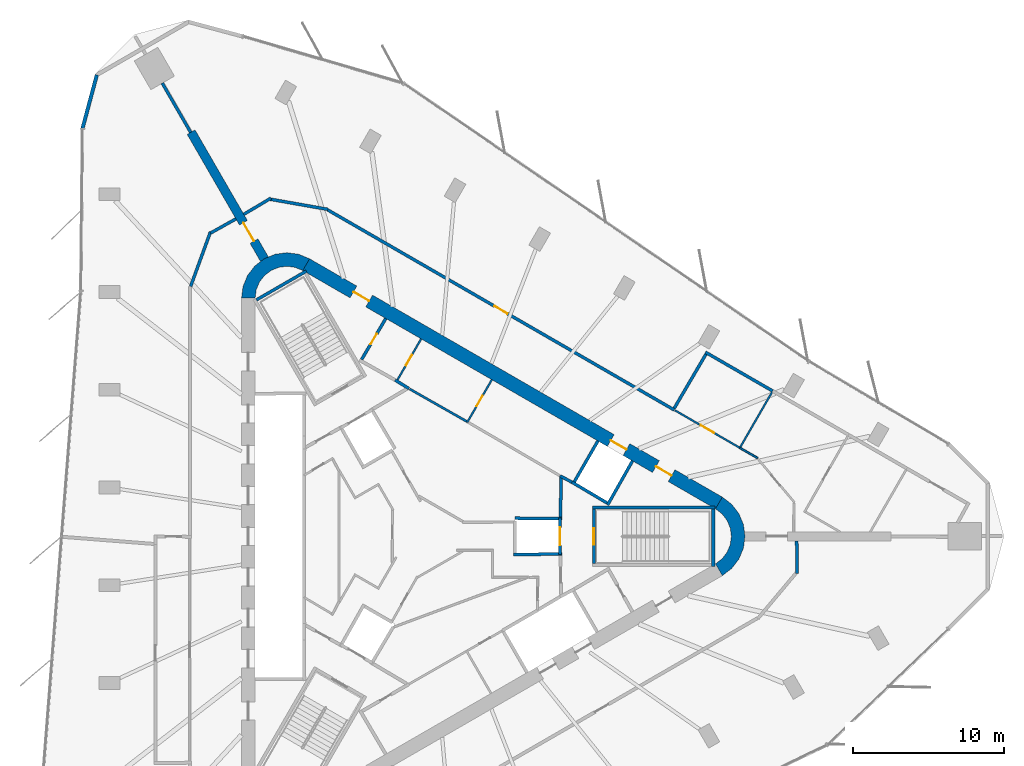
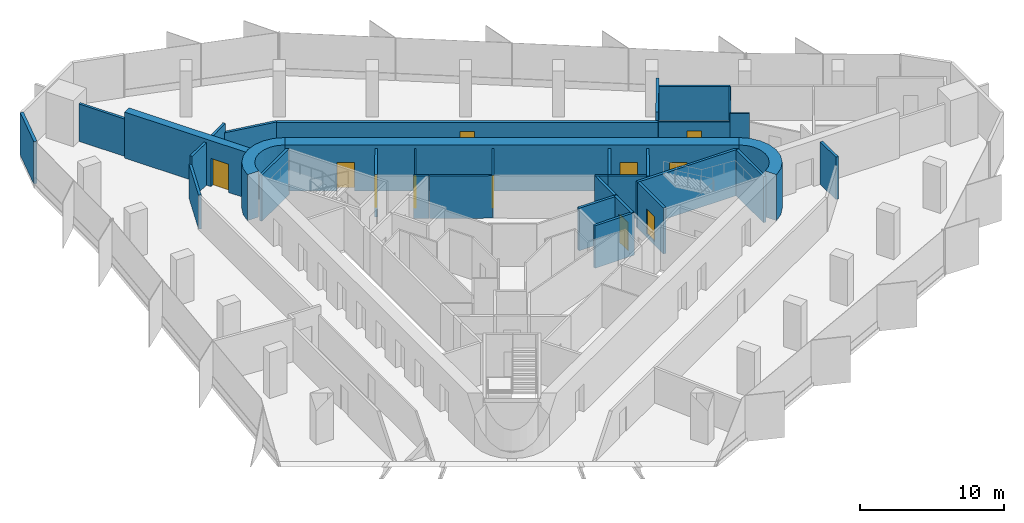
# One storey, part 11 of 14: 34 walls, 11 doors, 11 openings.
"""IFC4 building model written with IfcOpenShell, lengths in metres."""

from ifc_helpers import new_model, si_unit, direction, frame, frame_2d, origin, place, context, subcontext, project, spatial, polyline, rectangle, outline, extrude, material, layer, layer_set, type_object, element, fill, save


model = new_model("IFC4")

# Units and contexts
model_context = context("Model", 3, precision=1e-05, world=origin(), true_north=direction((0.0, 1.0)))
body_context = subcontext(model_context, "Body", "Model", "MODEL_VIEW")
ifc_project = project(units=[si_unit("LENGTHUNIT", "METRE"), si_unit("AREAUNIT", "SQUARE_METRE"), si_unit("VOLUMEUNIT", "CUBIC_METRE"), si_unit("PLANEANGLEUNIT", "RADIAN"), si_unit("MASSUNIT", "GRAM", prefix="KILO")], contexts=[model_context])

# Site, building, storey
site_placement = place(None, origin())
site = spatial("IfcSite", under=ifc_project, at=site_placement, CompositionType="ELEMENT")
building_placement = place(site_placement, origin())
building = spatial("IfcBuilding", under=site, at=building_placement, Name="Tanit Gate Tower", CompositionType="ELEMENT")
storey_placement = place(building_placement, frame((0.0, 0.0, 302.60009765625)))
storey = spatial("IfcBuildingStorey", under=building, at=storey_placement, Name="L67", CompositionType="ELEMENT", Elevation=302.60009765625)

# Wall, opening, door
ifc_material_1 = material(Name="Concrete C40/50", Category="concrete")
ifc_layer_1 = layer(ifc_material_1, 0.60009765625)
ifc_layer_set_1 = layer_set([ifc_layer_1], Name="BUTTRESS FIN 600 C40/50")
wall_type_1 = type_object("IfcWallType", Name="BUTTRESS FIN 600 C40/50", PredefinedType="SHEAR", material=ifc_layer_set_1)
wall_1_placement = place(storey_placement, frame((-10.574951171875, 18.31640625, 0.0), z_axis=(0.0, 0.0, 1.0), x_axis=(-0.499999297704, 0.866025809255, 0.0)))
wall_1 = element("IfcWall", 1, at=wall_1_placement, inside=storey, type_object=wall_type_1, Name="BUTTRESS FIN", PredefinedType="SHEAR", context=body_context, shape_type="SweptSolid", body=[
    extrude(rectangle(XDim=9.72021484375, YDim=0.60009765625, at=frame_2d((4.860107421875, 0.0))), origin(), (0.0, 0.0, 1.0), 3.89990234375),
])
opening_1_placement = place(wall_1_placement, frame((1.39990234375, 0.0, 0.0)))
opening_1 = element("IfcOpeningElement", 2, at=opening_1_placement, cuts=wall_1, Name="Opening P14-S18-F-NW-1", PredefinedType="OPENING", context=body_context, shape_type="SweptSolid", body=[
    extrude(rectangle(XDim=1.39990234375, YDim=2.39990234375, at=frame_2d((0.699951171875, 1.199951171875))), frame((0.0, 0.31005859375, 0.0), z_axis=(0.0, -1.0, 0.0), x_axis=(1.0, 0.0, 0.0)), (0.0, 0.0, 1.0), 0.6201171875),
])
ifc_material_2 = material(Name="Timber door leaf", Category="wood")
door_type_1 = type_object("IfcDoorType", Name="INT-DOOR-FIN-PAIR-1400", OperationType="NOTDEFINED", PredefinedType="NOTDEFINED", material=ifc_material_2)
door_1_placement = place(opening_1_placement, origin())
door_1 = element("IfcDoor", 3, at=door_1_placement, inside=storey, type_object=door_type_1, Name="Door P14-S18-F-NW-1", OperationType="DOUBLE_DOOR_SINGLE_SWING", OverallHeight=2.39990234375, OverallWidth=1.39990234375, PredefinedType="NOTDEFINED", context=body_context, shape_type="SweptSolid", body=[
    extrude(rectangle(XDim=1.39990234375, YDim=2.39990234375, at=frame_2d((0.699951171875, 1.199951171875))), frame((0.0, 0.02490234375, 0.0), z_axis=(0.0, -1.0, 0.0), x_axis=(1.0, 0.0, 0.0)), (0.0, 0.0, 1.0), 0.050048828125),
])
fill(opening_1, door_1)

# Wall, openings, doors
ifc_material_3 = material(Name="Concrete C40/50", Category="concrete")
ifc_layer_2 = layer(ifc_material_3, 0.89990234375)
ifc_layer_set_2 = layer_set([ifc_layer_2], Name="CORE WALL 900 C40/50")
wall_type_2 = type_object("IfcWallType", Name="CORE WALL 900 C40/50", PredefinedType="SHEAR", material=ifc_layer_set_2)
wall_2_placement = place(storey_placement, frame((19.47509765625, 2.20849609375, 0.0), z_axis=(0.0, 0.0, 1.0), x_axis=(-0.866028369851, 0.499994862586, 0.0)))
wall_2 = element("IfcWall", 4, at=wall_2_placement, inside=storey, type_object=wall_type_2, Name="CORE WALL", PredefinedType="SHEAR", context=body_context, shape_type="SweptSolid", body=[
    extrude(rectangle(XDim=31.523193359375, YDim=0.89990234375, at=frame_2d((15.76171875, 0.0))), origin(), (0.0, 0.0, 1.0), 3.89990234375),
])
opening_2_placement = place(wall_2_placement, frame((7.0615234375, 0.0, 0.0)))
opening_2 = element("IfcOpeningElement", 5, at=opening_2_placement, cuts=wall_2, Name="Opening LDHL8-S18", PredefinedType="OPENING", context=body_context, shape_type="SweptSolid", body=[
    extrude(rectangle(XDim=1.199951171875, YDim=2.39990234375, at=frame_2d((0.60009765625, 1.199951171875))), frame((0.0, 0.4599609375, 0.0), z_axis=(0.0, -1.0, 0.0), x_axis=(1.0, 0.0, 0.0)), (0.0, 0.0, 1.0), 0.919921875),
])
opening_3_placement = place(wall_2_placement, frame((3.611572265625, 0.0, 0.0)))
opening_3 = element("IfcOpeningElement", 6, at=opening_3_placement, cuts=wall_2, Name="Opening F12-S18-FL1", PredefinedType="OPENING", context=body_context, shape_type="SweptSolid", body=[
    extrude(rectangle(XDim=1.199951171875, YDim=2.39990234375, at=frame_2d((0.60009765625, 1.199951171875))), frame((0.0, 0.4599609375, 0.0), z_axis=(0.0, -1.0, 0.0), x_axis=(1.0, 0.0, 0.0)), (0.0, 0.0, 1.0), 0.919921875),
])
opening_4_placement = place(wall_2_placement, frame((26.711669921875, 0.0, 0.0)))
opening_4 = element("IfcOpeningElement", 7, at=opening_4_placement, cuts=wall_2, Name="Opening F12-S18-S2", PredefinedType="OPENING", context=body_context, shape_type="SweptSolid", body=[
    extrude(rectangle(XDim=1.199951171875, YDim=2.39990234375, at=frame_2d((0.60009765625, 1.199951171875))), frame((0.0, 0.4599609375, 0.0), z_axis=(0.0, -1.0, 0.0), x_axis=(1.0, 0.0, 0.0)), (0.0, 0.0, 1.0), 0.919921875),
])
ifc_material_4 = material(Name="Fire-rated steel door leaf", Category="steel")
door_type_2 = type_object("IfcDoorType", Name="INT-DOOR-FIRE-LOBBY-1200", OperationType="NOTDEFINED", PredefinedType="USERDEFINED", material=ifc_material_4)
door_2_placement = place(opening_3_placement, origin())
door_2 = element("IfcDoor", 8, at=door_2_placement, inside=storey, type_object=door_type_2, Name="Door F12-S18-FL1", ObjectType="FIRE DOOR", OperationType="SINGLE_SWING_LEFT", OverallHeight=2.39990234375, OverallWidth=1.199951171875, PredefinedType="USERDEFINED", context=body_context, shape_type="SweptSolid", body=[
    extrude(rectangle(XDim=1.199951171875, YDim=2.39990234375, at=frame_2d((0.60009765625, 1.199951171875))), frame((0.0, 0.02490234375, 0.0), z_axis=(0.0, -1.0, 0.0), x_axis=(1.0, 0.0, 0.0)), (0.0, 0.0, 1.0), 0.050048828125),
])
fill(opening_3, door_2)
door_3_placement = place(opening_4_placement, origin())
door_3 = element("IfcDoor", 9, at=door_3_placement, inside=storey, type_object=door_type_2, Name="Door F12-S18-S2", ObjectType="FIRE DOOR", OperationType="SINGLE_SWING_LEFT", OverallHeight=2.39990234375, OverallWidth=1.199951171875, PredefinedType="USERDEFINED", context=body_context, shape_type="SweptSolid", body=[
    extrude(rectangle(XDim=1.199951171875, YDim=2.39990234375, at=frame_2d((0.60009765625, 1.199951171875))), frame((0.0, 0.02490234375, 0.0), z_axis=(0.0, -1.0, 0.0), x_axis=(1.0, 0.0, 0.0)), (0.0, 0.0, 1.0), 0.050048828125),
])
fill(opening_4, door_3)
ifc_material_5 = material(Name="Stainless steel sliding door leaf", Category="steel")
door_type_3 = type_object("IfcDoorType", Name="INT-DOOR-LANDING-1200", OperationType="NOTDEFINED", PredefinedType="USERDEFINED", material=ifc_material_5)
door_4_placement = place(opening_2_placement, origin())
door_4 = element("IfcDoor", 10, at=door_4_placement, inside=storey, type_object=door_type_3, Name="Door LDHL8-S18", ObjectType="LANDING DOOR", OperationType="SLIDING_TO_LEFT", OverallHeight=2.39990234375, OverallWidth=1.199951171875, PredefinedType="USERDEFINED", context=body_context, shape_type="SweptSolid", body=[
    extrude(rectangle(XDim=1.199951171875, YDim=2.39990234375, at=frame_2d((0.60009765625, 1.199951171875))), frame((0.0, 0.02490234375, 0.0), z_axis=(0.0, -1.0, 0.0), x_axis=(1.0, 0.0, 0.0)), (0.0, 0.0, 1.0), 0.050048828125),
])
fill(opening_2, door_4)

# Walls
wall_3_placement = place(storey_placement, origin())
element("IfcWall", 11, at=wall_3_placement, inside=storey, type_object=wall_type_2, Name="CORE WALL CORNER", PredefinedType="SHEAR", context=body_context, shape_type="SweptSolid", body=[
    extrude(outline(polyline([(-7.60009765625, 18.359619140625), (-8.323486328125, 18.659423828125), (-9.10009765625, 18.76171875), (-9.87646484375, 18.659423828125), (-10.60009765625, 18.359619140625), (-11.22119140625, 17.883056640625), (-11.697998046875, 17.26171875), (-11.997802734375, 16.5380859375), (-12.10009765625, 15.76171875), (-11.199951171875, 15.76171875), (-11.12841796875, 16.30517578125), (-10.918701171875, 16.811767578125), (-10.5849609375, 17.24658203125), (-10.14990234375, 17.580322265625), (-9.6435546875, 17.7900390625), (-9.10009765625, 17.86181640625), (-8.556396484375, 17.7900390625), (-8.050048828125, 17.580322265625), (-7.60009765625, 18.359619140625)])), origin(), (0.0, 0.0, 1.0), 3.89990234375),
])
wall_4_placement = place(storey_placement, origin())
element("IfcWall", 12, at=wall_4_placement, inside=storey, type_object=wall_type_2, Name="CORE WALL CORNER", PredefinedType="SHEAR", context=body_context, shape_type="SweptSolid", body=[
    extrude(outline(polyline([(19.699951171875, -2.59814453125), (20.3212890625, -2.121337890625), (20.798095703125, -1.5), (21.097900390625, -0.776611328125), (21.199951171875, 0.0), (21.097900390625, 0.776611328125), (20.798095703125, 1.5), (20.3212890625, 2.121337890625), (19.699951171875, 2.59814453125), (19.25, 1.818603515625), (19.684814453125, 1.48486328125), (20.018798828125, 1.050048828125), (20.228515625, 0.54345703125), (20.300048828125, 0.0), (20.228515625, -0.54345703125), (20.018798828125, -1.050048828125), (19.684814453125, -1.48486328125), (19.25, -1.818603515625), (19.699951171875, -2.59814453125)])), origin(), (0.0, 0.0, 1.0), 3.89990234375),
])
ifc_material_6 = material(Name="Concrete C30/37 with bronze anodised aluminium cladding", Category="concrete")
ifc_layer_3 = layer(ifc_material_6, 0.239990234375)
ifc_layer_set_3 = layer_set([ifc_layer_3], Name="Facade wall bronze clad 240")
wall_type_3 = type_object("IfcWallType", Name="Facade wall bronze clad 240", PredefinedType="SOLIDWALL", material=ifc_layer_set_3)
wall_5_placement = place(storey_placement, frame((-21.67138671875, 30.519775390625, 0.0), z_axis=(0.0, 0.0, 1.0), x_axis=(-0.258811894374, -0.965927742293, 0.0)))
element("IfcWall", 13, at=wall_5_placement, inside=storey, type_object=wall_type_3, Name="Bronze-clad facade wall L67 NW.arc3", PredefinedType="SOLIDWALL", context=body_context, shape_type="SweptSolid", body=[
    extrude(rectangle(XDim=3.648681640625, YDim=0.239990234375, at=frame_2d((1.82421875, 0.0))), origin(), (0.0, 0.0, 1.0), 3.599853515625),
])
ifc_material_7 = material(Name="Fire-rated gypsum board partition")
ifc_layer_4 = layer(ifc_material_7, 0.199951171875)
ifc_layer_set_4 = layer_set([ifc_layer_4], Name="INT-WALL-COMPARTMENT")
wall_type_4 = type_object("IfcWallType", Name="INT-WALL-COMPARTMENT", PredefinedType="PARTITIONING", material=ifc_layer_set_4)
wall_6_placement = place(storey_placement, frame((8.97412109375, 3.998779296875, 0.0), z_axis=(0.0, 0.0, 1.0), x_axis=(0.880917147855, -0.473270513147, 0.0)))
element("IfcWall", 14, at=wall_6_placement, inside=storey, type_object=wall_type_4, Name="Wall Compartment W045", PredefinedType="PARTITIONING", context=body_context, shape_type="SweptSolid", body=[
    extrude(rectangle(XDim=0.8779296875, YDim=0.199951171875, at=frame_2d((0.43896484375, 0.0))), origin(), (0.0, 0.0, 1.0), 3.599853515625),
])
wall_7_placement = place(storey_placement, frame((-1.940673828125, 10.338623046875, 0.0), z_axis=(0.0, 0.0, 1.0), x_axis=(0.850216889117, -0.526432561171, 0.0)))
element("IfcWall", 15, at=wall_7_placement, inside=storey, type_object=wall_type_4, Name="Wall Compartment W048", PredefinedType="PARTITIONING", context=body_context, shape_type="SweptSolid", body=[
    extrude(rectangle(XDim=1.078369140625, YDim=0.199951171875, at=frame_2d((0.5390625, 0.0))), origin(), (0.0, 0.0, 1.0), 3.599853515625),
])

# Wall, opening, door
wall_8_placement = place(storey_placement, frame((-2.557861328125, 14.409423828125, 0.0), z_axis=(0.0, 0.0, 1.0), x_axis=(-0.508018930956, -0.861345903683, 0.0)))
wall_8 = element("IfcWall", 16, at=wall_8_placement, inside=storey, type_object=wall_type_4, Name="Wall Compartment W051", PredefinedType="PARTITIONING", context=body_context, shape_type="SweptSolid", body=[
    extrude(rectangle(XDim=3.150146484375, YDim=0.199951171875, at=frame_2d((1.5751953125, 0.0))), origin(), (0.0, 0.0, 1.0), 3.599853515625),
])
opening_5_placement = place(wall_8_placement, frame((1.175048828125, 0.0, 0.0)))
opening_5 = element("IfcOpeningElement", 17, at=opening_5_placement, cuts=wall_8, Name="Opening R08-S18-17", PredefinedType="OPENING", context=body_context, shape_type="SweptSolid", body=[
    extrude(rectangle(XDim=0.800048828125, YDim=2.10009765625, at=frame_2d((0.39990234375, 1.050048828125))), frame((0.0, 0.10986328125, 0.0), z_axis=(0.0, -1.0, 0.0), x_axis=(1.0, 0.0, 0.0)), (0.0, 0.0, 1.0), 0.219970703125),
])
ifc_material_8 = material(Name="Timber door leaf", Category="wood")
door_type_4 = type_object("IfcDoorType", Name="INT-DOOR-RISER-800", OperationType="NOTDEFINED", PredefinedType="USERDEFINED", material=ifc_material_8)
door_5_placement = place(opening_5_placement, origin())
door_5 = element("IfcDoor", 18, at=door_5_placement, inside=storey, type_object=door_type_4, Name="Door R08-S18-17", ObjectType="FIRE DOOR", OperationType="SINGLE_SWING_LEFT", OverallHeight=2.10009765625, OverallWidth=0.800048828125, PredefinedType="USERDEFINED", context=body_context, shape_type="SweptSolid", body=[
    extrude(rectangle(XDim=0.800048828125, YDim=2.10009765625, at=frame_2d((0.39990234375, 1.050048828125))), frame((0.0, 0.02490234375, 0.0), z_axis=(0.0, -1.0, 0.0), x_axis=(1.0, 0.0, 0.0)), (0.0, 0.0, 1.0), 0.050048828125),
])
fill(opening_5, door_5)

# Walls
wall_9_placement = place(storey_placement, frame((9.0009765625, 1.27001953125, 0.0), z_axis=(0.0, 0.0, 1.0), x_axis=(0.010747252091, 0.999942246619, 0.0)))
element("IfcWall", 19, at=wall_9_placement, inside=storey, type_object=wall_type_4, Name="Wall Compartment W059", PredefinedType="PARTITIONING", context=body_context, shape_type="SweptSolid", body=[
    extrude(rectangle(XDim=2.72607421875, YDim=0.199951171875, at=frame_2d((1.363037109375, 0.0))), origin(), (0.0, 0.0, 1.0), 3.599853515625),
])
wall_10_placement = place(storey_placement, frame((-14.15234375, 20.143310546875, 0.0), z_axis=(0.0, 0.0, 1.0), x_axis=(-0.342008467257, -0.939696870445, 0.0)))
element("IfcWall", 20, at=wall_10_placement, inside=storey, type_object=wall_type_4, Name="Wall Compartment W097", PredefinedType="PARTITIONING", context=body_context, shape_type="SweptSolid", body=[
    extrude(rectangle(XDim=3.840576171875, YDim=0.199951171875, at=frame_2d((1.92041015625, 0.0))), origin(), (0.0, 0.0, 1.0), 2.8798828125),
])
wall_11_placement = place(storey_placement, frame((-12.469970703125, 20.99853515625, 0.0), z_axis=(0.0, 0.0, 1.0), x_axis=(-0.872542788959, -0.488537697046, 0.0)))
element("IfcWall", 21, at=wall_11_placement, inside=storey, type_object=wall_type_4, Name="Wall Compartment W098", PredefinedType="PARTITIONING", context=body_context, shape_type="SweptSolid", body=[
    extrude(rectangle(XDim=1.924560546875, YDim=0.199951171875, at=frame_2d((0.96240234375, 0.0))), origin(), (0.0, 0.0, 1.0), 3.599853515625),
])
wall_12_placement = place(storey_placement, frame((-10.154541015625, 22.3671875, 0.0), z_axis=(0.0, 0.0, 1.0), x_axis=(-0.859343009577, -0.511399640097, 0.0)))
element("IfcWall", 22, at=wall_12_placement, inside=storey, type_object=wall_type_4, Name="Wall Compartment W099", PredefinedType="PARTITIONING", context=body_context, shape_type="SweptSolid", body=[
    extrude(rectangle(XDim=2.089599609375, YDim=0.199951171875, at=frame_2d((1.044921875, 0.0))), origin(), (0.0, 0.0, 1.0), 3.599853515625),
])
wall_13_placement = place(storey_placement, frame((-6.389404296875, 21.626220703125, 0.0), z_axis=(0.0, 0.0, 1.0), x_axis=(-0.984802578286, 0.173677522442, 0.0)))
element("IfcWall", 23, at=wall_13_placement, inside=storey, type_object=wall_type_4, Name="Wall Compartment W100", PredefinedType="PARTITIONING", context=body_context, shape_type="SweptSolid", body=[
    extrude(rectangle(XDim=3.87548828125, YDim=0.199951171875, at=frame_2d((1.937744140625, 0.0))), origin(), (0.0, 0.0, 1.0), 2.8798828125),
])

# Wall, opening, door
wall_14_placement = place(storey_placement, frame((16.52294921875, 8.3583984375, 0.0), z_axis=(0.0, 0.0, 1.0), x_axis=(-0.866025545866, 0.499999753908, 0.0)))
wall_14 = element("IfcWall", 24, at=wall_14_placement, inside=storey, type_object=wall_type_4, Name="Wall Compartment W101", PredefinedType="PARTITIONING", context=body_context, shape_type="SweptSolid", body=[
    extrude(rectangle(XDim=26.470703125, YDim=0.199951171875, at=frame_2d((13.2353515625, 0.0))), origin(), (0.0, 0.0, 1.0), 2.8798828125),
])
opening_6_placement = place(wall_14_placement, frame((12.7353515625, 0.0, 0.0)))
opening_6 = element("IfcOpeningElement", 25, at=opening_6_placement, cuts=wall_14, Name="Opening F10-S18-28", PredefinedType="OPENING", context=body_context, shape_type="SweptSolid", body=[
    extrude(rectangle(XDim=1.0, YDim=2.10009765625, at=frame_2d((0.5, 1.050048828125))), frame((0.0, 0.10986328125, 0.0), z_axis=(0.0, -1.0, 0.0), x_axis=(1.0, 0.0, 0.0)), (0.0, 0.0, 1.0), 0.219970703125),
])
ifc_material_9 = material(Name="Fire-rated steel door leaf", Category="steel")
door_type_5 = type_object("IfcDoorType", Name="INT-DOOR-FIRE-1000", OperationType="NOTDEFINED", PredefinedType="USERDEFINED", material=ifc_material_9)
door_6_placement = place(opening_6_placement, origin())
door_6 = element("IfcDoor", 26, at=door_6_placement, inside=storey, type_object=door_type_5, Name="Door F10-S18-28", ObjectType="FIRE DOOR", OperationType="SINGLE_SWING_RIGHT", OverallHeight=2.10009765625, OverallWidth=1.0, PredefinedType="USERDEFINED", context=body_context, shape_type="SweptSolid", body=[
    extrude(rectangle(XDim=1.0, YDim=2.10009765625, at=frame_2d((0.5, 1.050048828125))), frame((0.0, 0.02490234375, 0.0), z_axis=(0.0, -1.0, 0.0), x_axis=(1.0, 0.0, 0.0)), (0.0, 0.0, 1.0), 0.050048828125),
])
fill(opening_6, door_6)

# Walls
wall_15_placement = place(storey_placement, frame((24.647705078125, -2.46240234375, 0.0), z_axis=(0.0, 0.0, 1.0), x_axis=(-0.012757232068, 0.999918623204, 0.0)))
element("IfcWall", 27, at=wall_15_placement, inside=storey, type_object=wall_type_4, Name="Wall Compartment W106", PredefinedType="PARTITIONING", context=body_context, shape_type="SweptSolid", body=[
    extrude(rectangle(XDim=2.16259765625, YDim=0.199951171875, at=frame_2d((1.081298828125, 0.0))), origin(), (0.0, 0.0, 1.0), 3.599853515625),
])
wall_16_placement = place(storey_placement, frame((-17.34130859375, 29.97607421875, 0.0), z_axis=(0.0, 0.0, 1.0), x_axis=(0.500007177232, -0.866021259968, 0.0)))
element("IfcWall", 28, at=wall_16_placement, inside=storey, type_object=wall_type_4, Name="Wall Compartment W116", PredefinedType="PARTITIONING", context=body_context, shape_type="SweptSolid", body=[
    extrude(rectangle(XDim=3.7607421875, YDim=0.199951171875, at=frame_2d((1.88037109375, 0.0))), origin(), (0.0, 0.0, 1.0), 3.169921875),
])
wall_17_placement = place(storey_placement, frame((23.030517578125, 9.612548828125, 0.0), z_axis=(0.0, 0.0, 1.0), x_axis=(-0.866024183959, 0.500002112793, 0.0)))
element("IfcWall", 29, at=wall_17_placement, inside=storey, type_object=wall_type_4, Name="Wall Compartment W118", PredefinedType="PARTITIONING", context=body_context, shape_type="SweptSolid", body=[
    extrude(rectangle(XDim=5.138671875, YDim=0.199951171875, at=frame_2d((2.5693359375, 0.0))), origin(), (0.0, 0.0, 1.0), 2.8798828125),
])
wall_18_placement = place(storey_placement, frame((16.521484375, 8.474609375, 0.0), z_axis=(0.0, 0.0, 1.0), x_axis=(0.50596313549, 0.862555102892, 0.0)))
element("IfcWall", 30, at=wall_18_placement, inside=storey, type_object=wall_type_4, Name="Wall Compartment W119", PredefinedType="PARTITIONING", context=body_context, shape_type="SweptSolid", body=[
    extrude(rectangle(XDim=4.14013671875, YDim=0.199951171875, at=frame_2d((2.070068359375, 0.0))), origin(), (0.0, 0.0, 1.0), 3.599853515625),
])

# Wall, opening, door
ifc_material_10 = material(Name="Gypsum board partition")
ifc_layer_5 = layer(ifc_material_10, 0.1201171875)
ifc_layer_set_5 = layer_set([ifc_layer_5], Name="INT-WALL-PARTITION")
wall_type_5 = type_object("IfcWallType", Name="INT-WALL-PARTITION", PredefinedType="PARTITIONING", material=ifc_layer_set_5)
wall_19_placement = place(storey_placement, frame((4.456787109375, 10.359375, 0.0), z_axis=(0.0, 0.0, 1.0), x_axis=(-0.500017246033, -0.866015446554, 0.0)))
wall_19 = element("IfcWall", 31, at=wall_19_placement, inside=storey, type_object=wall_type_5, Name="Wall Partition W044", PredefinedType="PARTITIONING", context=body_context, shape_type="SweptSolid", body=[
    extrude(rectangle(XDim=3.25, YDim=0.1201171875, at=frame_2d((1.625, 0.0))), origin(), (0.0, 0.0, 1.0), 3.599853515625),
])
opening_7_placement = place(wall_19_placement, frame((1.22509765625, 0.0, 0.0)))
opening_7 = element("IfcOpeningElement", 32, at=opening_7_placement, cuts=wall_19, Name="Opening R08-S18-15", PredefinedType="OPENING", context=body_context, shape_type="SweptSolid", body=[
    extrude(rectangle(XDim=0.800048828125, YDim=2.10009765625, at=frame_2d((0.39990234375, 1.050048828125))), frame((0.0, 0.070068359375, 0.0), z_axis=(0.0, -1.0, 0.0), x_axis=(1.0, 0.0, 0.0)), (0.0, 0.0, 1.0), 0.14013671875),
])
door_7_placement = place(opening_7_placement, origin())
door_7 = element("IfcDoor", 33, at=door_7_placement, inside=storey, type_object=door_type_4, Name="Door R08-S18-15", ObjectType="FIRE DOOR", OperationType="SINGLE_SWING_RIGHT", OverallHeight=2.10009765625, OverallWidth=0.800048828125, PredefinedType="USERDEFINED", context=body_context, shape_type="SweptSolid", body=[
    extrude(rectangle(XDim=0.800048828125, YDim=2.10009765625, at=frame_2d((0.39990234375, 1.050048828125))), frame((0.0, 0.02490234375, 0.0), z_axis=(0.0, -1.0, 0.0), x_axis=(1.0, 0.0, 0.0)), (0.0, 0.0, 1.0), 0.050048828125),
])
fill(opening_7, door_7)

wall_20_placement = place(storey_placement, frame((-0.2197265625, 13.0595703125, 0.0), z_axis=(0.0, 0.0, 1.0), x_axis=(-0.499984717929, -0.866034226713, 0.0)))
wall_20 = element("IfcWall", 34, at=wall_20_placement, inside=storey, type_object=wall_type_5, Name="Wall Partition W047", PredefinedType="PARTITIONING", context=body_context, shape_type="SweptSolid", body=[
    extrude(rectangle(XDim=3.25, YDim=0.1201171875, at=frame_2d((1.625, 0.0))), origin(), (0.0, 0.0, 1.0), 3.599853515625),
])
opening_8_placement = place(wall_20_placement, frame((1.22509765625, 0.0, 0.0)))
opening_8 = element("IfcOpeningElement", 35, at=opening_8_placement, cuts=wall_20, Name="Opening R08-S18-16", PredefinedType="OPENING", context=body_context, shape_type="SweptSolid", body=[
    extrude(rectangle(XDim=0.800048828125, YDim=2.10009765625, at=frame_2d((0.39990234375, 1.050048828125))), frame((0.0, 0.070068359375, 0.0), z_axis=(0.0, -1.0, 0.0), x_axis=(1.0, 0.0, 0.0)), (0.0, 0.0, 1.0), 0.14013671875),
])
door_8_placement = place(opening_8_placement, origin())
door_8 = element("IfcDoor", 36, at=door_8_placement, inside=storey, type_object=door_type_4, Name="Door R08-S18-16", ObjectType="FIRE DOOR", OperationType="SINGLE_SWING_LEFT", OverallHeight=2.10009765625, OverallWidth=0.800048828125, PredefinedType="USERDEFINED", context=body_context, shape_type="SweptSolid", body=[
    extrude(rectangle(XDim=0.800048828125, YDim=2.10009765625, at=frame_2d((0.39990234375, 1.050048828125))), frame((0.0, 0.02490234375, 0.0), z_axis=(0.0, -1.0, 0.0), x_axis=(1.0, 0.0, 0.0)), (0.0, 0.0, 1.0), 0.050048828125),
])
fill(opening_8, door_8)

# Wall
wall_21_placement = place(storey_placement, frame((22.039794921875, 5.173095703125, 0.0), z_axis=(0.0, 0.0, 1.0), x_axis=(-0.865994487098, 0.500053545449, 0.0)))
element("IfcWall", 37, at=wall_21_placement, inside=storey, type_object=wall_type_5, Name="Wall Partition W103", PredefinedType="PARTITIONING", context=body_context, shape_type="SweptSolid", body=[
    extrude(rectangle(XDim=1.361572265625, YDim=0.1201171875, at=frame_2d((0.6806640625, 0.0))), origin(), (0.0, 0.0, 1.0), 3.599853515625),
])

# Wall, opening, door
wall_22_placement = place(storey_placement, frame((20.860595703125, 5.85400390625, 0.0), z_axis=(0.0, 0.0, 1.0), x_axis=(-0.86603339999, 0.499986149909, 0.0)))
wall_22 = element("IfcWall", 38, at=wall_22_placement, inside=storey, type_object=wall_type_5, Name="Wall Partition W102", PredefinedType="PARTITIONING", context=body_context, shape_type="SweptSolid", body=[
    extrude(rectangle(XDim=4.968994140625, YDim=0.1201171875, at=frame_2d((2.484375, 0.0))), origin(), (0.0, 0.0, 1.0), 2.8798828125),
])
opening_9_placement = place(wall_22_placement, frame((1.984375, 0.0, 0.0)))
opening_9 = element("IfcOpeningElement", 39, at=opening_9_placement, cuts=wall_22, Name="Opening D10-S18-22", PredefinedType="OPENING", context=body_context, shape_type="SweptSolid", body=[
    extrude(rectangle(XDim=1.0, YDim=2.10009765625, at=frame_2d((0.5, 1.050048828125))), frame((0.0, 0.070068359375, 0.0), z_axis=(0.0, -1.0, 0.0), x_axis=(1.0, 0.0, 0.0)), (0.0, 0.0, 1.0), 0.14013671875),
])
ifc_material_11 = material(Name="Timber door leaf", Category="wood")
door_type_6 = type_object("IfcDoorType", Name="INT-DOOR-SINGLE-1000", OperationType="NOTDEFINED", PredefinedType="NOTDEFINED", material=ifc_material_11)
door_9_placement = place(opening_9_placement, origin())
door_9 = element("IfcDoor", 40, at=door_9_placement, inside=storey, type_object=door_type_6, Name="Door D10-S18-22", OperationType="SINGLE_SWING_LEFT", OverallHeight=2.10009765625, OverallWidth=1.0, PredefinedType="NOTDEFINED", context=body_context, shape_type="SweptSolid", body=[
    extrude(rectangle(XDim=1.0, YDim=2.10009765625, at=frame_2d((0.5, 1.050048828125))), frame((0.0, 0.02490234375, 0.0), z_axis=(0.0, -1.0, 0.0), x_axis=(1.0, 0.0, 0.0)), (0.0, 0.0, 1.0), 0.050048828125),
])
fill(opening_9, door_9)

# Walls
wall_23_placement = place(storey_placement, frame((22.98046875, 9.52587890625, 0.0), z_axis=(0.0, 0.0, 1.0), x_axis=(-0.500027490399, -0.866009531614, 0.0)))
element("IfcWall", 41, at=wall_23_placement, inside=storey, type_object=wall_type_5, Name="Wall Partition W126", PredefinedType="PARTITIONING", context=body_context, shape_type="SweptSolid", body=[
    extrude(rectangle(XDim=4.179931640625, YDim=0.1201171875, at=frame_2d((2.08984375, 0.0))), origin(), (0.0, 0.0, 1.0), 2.8798828125),
])
ifc_material_12 = material(Name="Fire-rated gypsum board partition")
ifc_layer_6 = layer(ifc_material_12, 0.14990234375)
ifc_layer_set_6 = layer_set([ifc_layer_6], Name="INT-WALL-RISER")
wall_type_6 = type_object("IfcWallType", Name="INT-WALL-RISER", PredefinedType="PLUMBINGWALL", material=ifc_layer_set_6)
wall_24_placement = place(storey_placement, frame((2.82080078125, 7.5859375, 0.0), z_axis=(0.0, 0.0, 1.0), x_axis=(-0.869333872947, 0.494225269839, 0.0)))
element("IfcWall", 42, at=wall_24_placement, inside=storey, type_object=wall_type_6, Name="Wall Riser W049", PredefinedType="PLUMBINGWALL", context=body_context, shape_type="SweptSolid", body=[
    extrude(rectangle(XDim=4.371826171875, YDim=0.14990234375, at=frame_2d((2.18603515625, 0.0))), origin(), (0.0, 0.0, 1.0), 3.599853515625),
])
ifc_material_13 = material(Name="Gypsum shaft wall system")
ifc_layer_7 = layer(ifc_material_13, 0.199951171875)
ifc_layer_set_7 = layer_set([ifc_layer_7], Name="INT-WALL-SHAFT")
wall_type_7 = type_object("IfcWallType", Name="INT-WALL-SHAFT", PredefinedType="PLUMBINGWALL", material=ifc_layer_set_7)
wall_25_placement = place(storey_placement, frame((9.8466796875, 3.494873046875, 0.0), z_axis=(0.0, 0.0, 1.0), x_axis=(0.499984717929, 0.866034226713, 0.0)))
element("IfcWall", 43, at=wall_25_placement, inside=storey, type_object=wall_type_7, Name="Wall Shaft W012", PredefinedType="PLUMBINGWALL", context=body_context, shape_type="SweptSolid", body=[
    extrude(rectangle(XDim=3.25, YDim=0.199951171875, at=frame_2d((1.625, 0.0))), origin(), (0.0, 0.0, 1.0), 3.599853515625),
])
wall_26_placement = place(storey_placement, frame((12.10986328125, 2.07275390625, 0.0), z_axis=(0.0, 0.0, 1.0), x_axis=(0.49196600604, 0.870614408852, 0.0)))
element("IfcWall", 44, at=wall_26_placement, inside=storey, type_object=wall_type_7, Name="Wall Shaft W013", PredefinedType="PLUMBINGWALL", context=body_context, shape_type="SweptSolid", body=[
    extrude(rectangle(XDim=3.35009765625, YDim=0.199951171875, at=frame_2d((1.675048828125, 0.0))), origin(), (0.0, 0.0, 1.0), 3.599853515625),
])
wall_27_placement = place(storey_placement, frame((12.072998046875, 2.2109375, 0.0), z_axis=(0.0, 0.0, 1.0), x_axis=(-0.860414880418, 0.509594185166, 0.0)))
element("IfcWall", 45, at=wall_27_placement, inside=storey, type_object=wall_type_7, Name="Wall Shaft W014", PredefinedType="PLUMBINGWALL", context=body_context, shape_type="SweptSolid", body=[
    extrude(rectangle(XDim=2.7001953125, YDim=0.199951171875, at=frame_2d((1.35009765625, 0.0))), origin(), (0.0, 0.0, 1.0), 3.599853515625),
])

# Wall, opening, door
wall_28_placement = place(storey_placement, frame((8.969970703125, 1.199951171875, 0.0), z_axis=(0.0, 0.0, 1.0), x_axis=(0.0, -1.0, 0.0)))
wall_28 = element("IfcWall", 46, at=wall_28_placement, inside=storey, type_object=wall_type_7, Name="Wall Shaft W024", PredefinedType="PLUMBINGWALL", context=body_context, shape_type="SweptSolid", body=[
    extrude(rectangle(XDim=2.39990234375, YDim=0.199951171875, at=frame_2d((1.199951171875, 0.0))), origin(), (0.0, 0.0, 1.0), 3.599853515625),
])
opening_10_placement = place(wall_28_placement, frame((0.60009765625, 0.0, 0.0)))
opening_10 = element("IfcOpeningElement", 47, at=opening_10_placement, cuts=wall_28, Name="Opening LDFL1-L67", PredefinedType="OPENING", context=body_context, shape_type="SweptSolid", body=[
    extrude(rectangle(XDim=1.199951171875, YDim=2.39990234375, at=frame_2d((0.60009765625, 1.199951171875))), frame((0.0, 0.10986328125, 0.0), z_axis=(0.0, -1.0, 0.0), x_axis=(1.0, 0.0, 0.0)), (0.0, 0.0, 1.0), 0.219970703125),
])
door_10_placement = place(opening_10_placement, origin())
door_10 = element("IfcDoor", 48, at=door_10_placement, inside=storey, type_object=door_type_3, Name="Door LDFL1-L67", ObjectType="LANDING DOOR", OperationType="SLIDING_TO_LEFT", OverallHeight=2.39990234375, OverallWidth=1.199951171875, PredefinedType="USERDEFINED", context=body_context, shape_type="SweptSolid", body=[
    extrude(rectangle(XDim=1.199951171875, YDim=2.39990234375, at=frame_2d((0.60009765625, 1.199951171875))), frame((0.0, 0.02490234375, 0.0), z_axis=(0.0, -1.0, 0.0), x_axis=(1.0, 0.0, 0.0)), (0.0, 0.0, 1.0), 0.050048828125),
])
fill(opening_10, door_10)

# Walls
wall_29_placement = place(storey_placement, frame((6.0, 1.199951171875, 0.0), z_axis=(0.0, 0.0, 1.0), x_axis=(0.999949988, -0.010001074852, 0.0)))
element("IfcWall", 49, at=wall_29_placement, inside=storey, type_object=wall_type_7, Name="Wall Shaft W025", PredefinedType="PLUMBINGWALL", context=body_context, shape_type="SweptSolid", body=[
    extrude(rectangle(XDim=3.100341796875, YDim=0.199951171875, at=frame_2d((1.55029296875, 0.0))), origin(), (0.0, 0.0, 1.0), 3.599853515625),
])
wall_30_placement = place(storey_placement, frame((5.89990234375, -1.200927734375, 0.0), z_axis=(0.0, 0.0, 1.0), x_axis=(0.999950064753, 0.009993397809, 0.0)))
element("IfcWall", 50, at=wall_30_placement, inside=storey, type_object=wall_type_7, Name="Wall Shaft W026", PredefinedType="PLUMBINGWALL", context=body_context, shape_type="SweptSolid", body=[
    extrude(rectangle(XDim=3.200439453125, YDim=0.199951171875, at=frame_2d((1.60009765625, 0.0))), origin(), (0.0, 0.0, 1.0), 3.599853515625),
])
ifc_material_14 = material(Name="Concrete C40/50", Category="concrete")
ifc_layer_8 = layer(ifc_material_14, 0.199951171875)
ifc_layer_set_8 = layer_set([ifc_layer_8], Name="INT-WALL-STAIR")
wall_type_8 = type_object("IfcWallType", Name="INT-WALL-STAIR", PredefinedType="SHEAR", material=ifc_layer_set_8)
wall_31_placement = place(storey_placement, frame((19.199951171875, 1.89990234375, -0.300048828125), z_axis=(0.0, 0.0, 1.0), x_axis=(-1.0, 0.0, 0.0)))
element("IfcWall", 51, at=wall_31_placement, inside=storey, type_object=wall_type_8, Name="Wall Stair W020", PredefinedType="SHEAR", context=body_context, shape_type="SweptSolid", body=[
    extrude(rectangle(XDim=8.099853515625, YDim=0.199951171875, at=frame_2d((4.0498046875, 0.0))), origin(), (0.0, 0.0, 1.0), 3.89990234375),
])
wall_32_placement = place(storey_placement, frame((19.10009765625, -2.0, -0.300048828125), z_axis=(0.0, 0.0, 1.0), x_axis=(0.0, 1.0, 0.0)))
element("IfcWall", 52, at=wall_32_placement, inside=storey, type_object=wall_type_8, Name="Wall Stair W021", PredefinedType="SHEAR", context=body_context, shape_type="SweptSolid", body=[
    extrude(rectangle(XDim=3.800048828125, YDim=0.199951171875, at=frame_2d((1.89990234375, 0.0))), origin(), (0.0, 0.0, 1.0), 3.89990234375),
])

# Wall, opening, door
wall_33_placement = place(storey_placement, frame((11.199951171875, -1.800048828125, -0.300048828125), z_axis=(0.0, 0.0, 1.0), x_axis=(0.0, 1.0, 0.0)))
wall_33 = element("IfcWall", 53, at=wall_33_placement, inside=storey, type_object=wall_type_8, Name="Wall Stair W023", PredefinedType="SHEAR", context=body_context, shape_type="SweptSolid", body=[
    extrude(rectangle(XDim=3.60009765625, YDim=0.199951171875, at=frame_2d((1.800048828125, 0.0))), origin(), (0.0, 0.0, 1.0), 3.89990234375),
])
opening_11_placement = place(wall_33_placement, frame((1.25, 0.0, 0.300048828125)))
opening_11 = element("IfcOpeningElement", 54, at=opening_11_placement, cuts=wall_33, Name="Opening S11-S18-01", PredefinedType="OPENING", context=body_context, shape_type="SweptSolid", body=[
    extrude(rectangle(XDim=1.10009765625, YDim=2.10009765625, at=frame_2d((0.550048828125, 1.050048828125))), frame((0.0, 0.10986328125, 0.0), z_axis=(0.0, -1.0, 0.0), x_axis=(1.0, 0.0, 0.0)), (0.0, 0.0, 1.0), 0.219970703125),
])
ifc_material_15 = material(Name="Timber door leaf", Category="wood")
door_type_7 = type_object("IfcDoorType", Name="INT-DOOR-STAIR-1100", OperationType="NOTDEFINED", PredefinedType="USERDEFINED", material=ifc_material_15)
door_11_placement = place(opening_11_placement, origin())
door_11 = element("IfcDoor", 55, at=door_11_placement, inside=storey, type_object=door_type_7, Name="Door S11-S18-01", ObjectType="FIRE DOOR", OperationType="SINGLE_SWING_LEFT", OverallHeight=2.10009765625, OverallWidth=1.10009765625, PredefinedType="USERDEFINED", context=body_context, shape_type="SweptSolid", body=[
    extrude(rectangle(XDim=1.10009765625, YDim=2.10009765625, at=frame_2d((0.550048828125, 1.050048828125))), frame((0.0, 0.02490234375, 0.0), z_axis=(0.0, -1.0, 0.0), x_axis=(1.0, 0.0, 0.0)), (0.0, 0.0, 1.0), 0.050048828125),
])
fill(opening_11, door_11)

# Wall
wall_34_placement = place(storey_placement, frame((-7.81787109375, 17.541015625, -0.300048828125), z_axis=(0.0, 0.0, 1.0), x_axis=(-0.866044365799, -0.499967155389, 0.0)))
element("IfcWall", 56, at=wall_34_placement, inside=storey, type_object=wall_type_8, Name="Wall Stair W029", PredefinedType="SHEAR", context=body_context, shape_type="SweptSolid", body=[
    extrude(rectangle(XDim=3.800048828125, YDim=0.199951171875, at=frame_2d((1.89990234375, 0.0))), origin(), (0.0, 0.0, 1.0), 3.89990234375),
])

save(model, "model.ifc")
